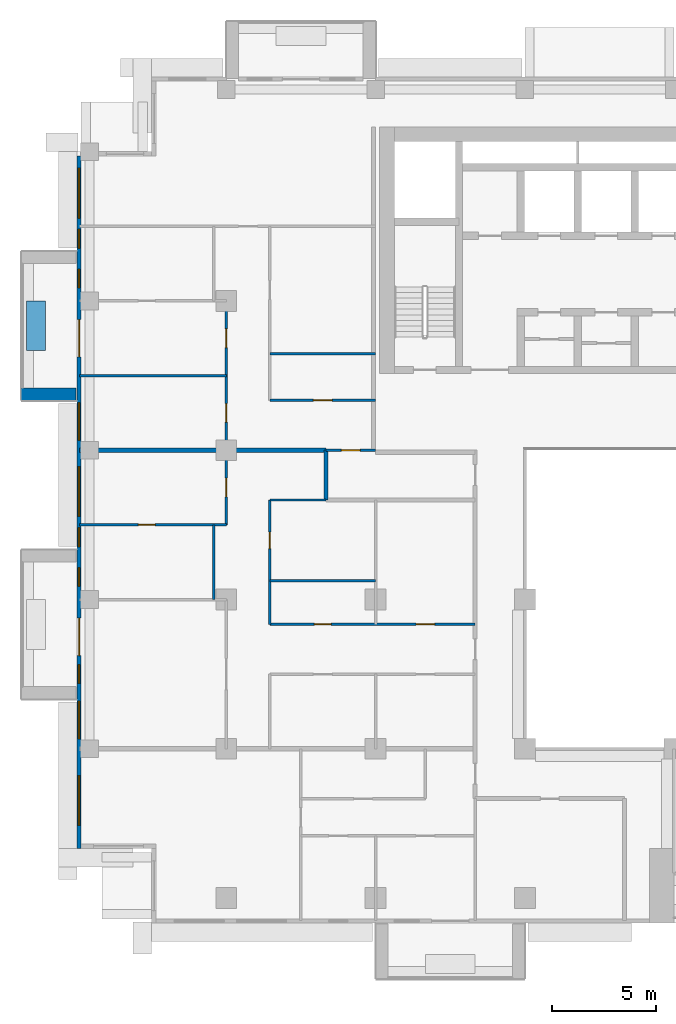
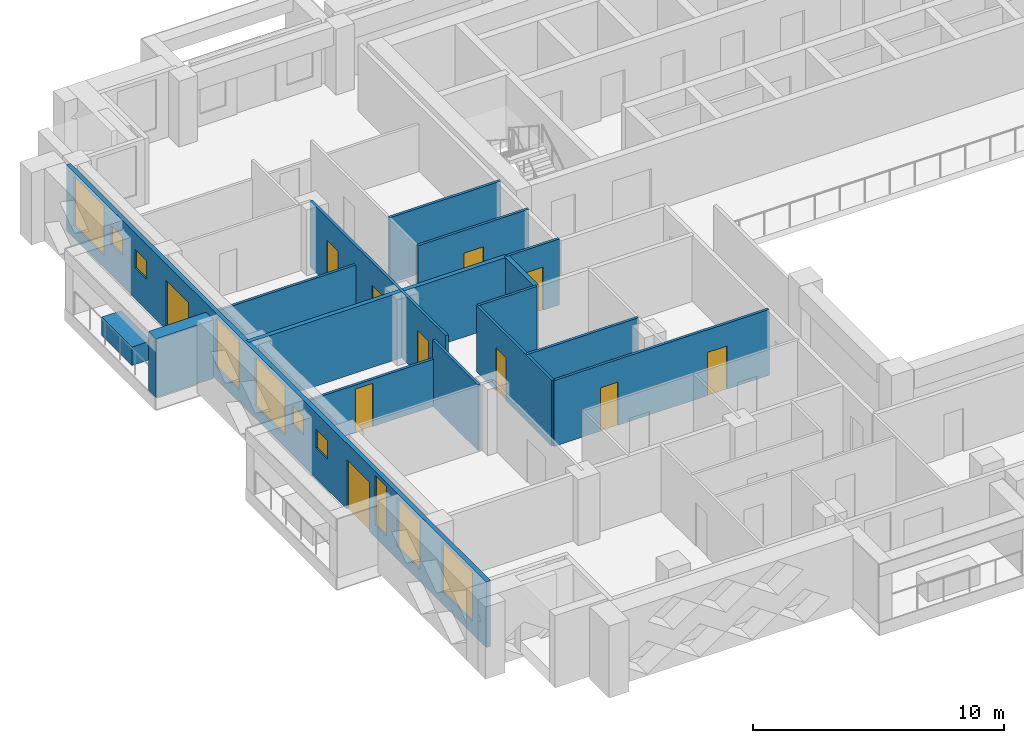
# One storey, part 7 of 20: 16 walls, 11 doors, 10 windows, 21 openings.
"""IFC4 building model written with IfcOpenShell, lengths in metres."""

from ifc_helpers import new_model, si_unit, direction, frame, frame_2d, origin, place, context, subcontext, project, spatial, rectangle, extrude, material, layer, layer_set, type_object, element, fill, save


model = new_model("IFC4")

# Units and contexts
model_context = context("Model", 3, precision=1e-05, world=origin(), true_north=direction((0.0, 1.0)))
body_context = subcontext(model_context, "Body", "Model", "MODEL_VIEW")
ifc_project = project(units=[si_unit("LENGTHUNIT", "METRE"), si_unit("AREAUNIT", "SQUARE_METRE"), si_unit("VOLUMEUNIT", "CUBIC_METRE"), si_unit("PLANEANGLEUNIT", "RADIAN"), si_unit("MASSUNIT", "GRAM", prefix="KILO")], contexts=[model_context])

# Site, building, storey
site_placement = place(None, origin())
site = spatial("IfcSite", under=ifc_project, at=site_placement, CompositionType="ELEMENT")
building_placement = place(site_placement, origin())
building = spatial("IfcBuilding", under=site, at=building_placement, Name="Saffron Iwan Residences", CompositionType="ELEMENT")
storey_placement = place(building_placement, frame((0.0, 0.0, 150.0)))
storey = spatial("IfcBuildingStorey", under=building, at=storey_placement, Name="L39", CompositionType="ELEMENT", Elevation=150.0)

# Walls
ifc_material_1 = material(Name="Concrete C50/60 white painted", Category="concrete")
ifc_layer_1 = layer(ifc_material_1, 0.60009765625)
ifc_layer_set_1 = layer_set([ifc_layer_1], Name="Concrete C50/60 white painted")
wall_type_1 = type_object("IfcWallType", Name="BALCONY FIN 600", PredefinedType="SOLIDWALL", material=ifc_layer_set_1)
wall_1_placement = place(storey_placement, frame((14.35009765625, 65.10009765625, 0.0), z_axis=(0.0, 0.0, 1.0), x_axis=(-1.0, 0.0, 0.0)))
element("IfcWall", 1, at=wall_1_placement, inside=storey, type_object=wall_type_1, Name="Balcony fin L39 F8-0b", PredefinedType="SOLIDWALL", context=body_context, shape_type="SweptSolid", body=[
    extrude(rectangle(XDim=2.650146484375, YDim=0.60009765625, at=frame_2d((1.3251953125, 0.0))), origin(), (0.0, 0.0, 1.0), 2.85009765625),
])
ifc_material_2 = material(Name="Concrete C35/45 white painted", Category="concrete")
ifc_layer_2 = layer(ifc_material_2, 0.14990234375)
ifc_layer_set_2 = layer_set([ifc_layer_2], Name="Concrete C35/45 white painted")
wall_type_2 = type_object("IfcWallType", Name="BALCONY PLANTER", PredefinedType="SOLIDWALL", material=ifc_layer_set_2)
wall_2_placement = place(storey_placement, frame((12.425048828125, 69.60009765625, 0.0), z_axis=(0.0, 0.0, 1.0), x_axis=(0.0, -1.0, 0.0)))
element("IfcWall", 2, at=wall_2_placement, inside=storey, type_object=wall_type_2, Name="PLANTER L39 F8-0", PredefinedType="SOLIDWALL", context=body_context, shape_type="SweptSolid", body=[
    extrude(rectangle(XDim=2.400146484375, YDim=0.89990234375, at=frame_2d((1.2001953125, 0.0))), origin(), (0.0, 0.0, 1.0), 0.89990234375),
])

# Wall, openings, doors, windows
ifc_material_3 = material(Name="Concrete C40/50", Category="concrete")
ifc_layer_3 = layer(ifc_material_3, 0.199951171875)
ifc_layer_set_3 = layer_set([ifc_layer_3], Name="Concrete C40/50")
wall_type_3 = type_object("IfcWallType", Name="EXTERNAL WALL 200", PredefinedType="SOLIDWALL", material=ifc_layer_set_3)
wall_3_placement = place(storey_placement, frame((14.5, 76.60009765625, 0.0), z_axis=(0.0, 0.0, 1.0), x_axis=(0.0, -1.0, 0.0)))
wall_3 = element("IfcWall", 3, at=wall_3_placement, inside=storey, type_object=wall_type_3, Name="External wall L39 F8.0", PredefinedType="SOLIDWALL", context=body_context, shape_type="SweptSolid", body=[
    extrude(rectangle(XDim=33.400146484375, YDim=0.199951171875, at=frame_2d((16.7001953125, 0.0))), origin(), (0.0, 0.0, 1.0), 3.199951171875),
])
opening_1_placement = place(wall_3_placement, frame((7.89990234375, 0.0, 0.0)))
opening_1 = element("IfcOpeningElement", 4, at=opening_1_placement, cuts=wall_3, Name="Opening BD1", PredefinedType="OPENING", context=body_context, shape_type="SweptSolid", body=[
    extrude(rectangle(XDim=1.800048828125, YDim=2.39990234375, at=frame_2d((0.89990234375, 1.199951171875))), frame((0.0, 0.10986328125, 0.0), z_axis=(0.0, -1.0, 0.0), x_axis=(1.0, 0.0, 0.0)), (0.0, 0.0, 1.0), 0.219970703125),
])
opening_2_placement = place(wall_3_placement, frame((22.300048828125, 0.0, 0.0)))
opening_2 = element("IfcOpeningElement", 5, at=opening_2_placement, cuts=wall_3, Name="Opening BD1", PredefinedType="OPENING", context=body_context, shape_type="SweptSolid", body=[
    extrude(rectangle(XDim=1.800048828125, YDim=2.39990234375, at=frame_2d((0.89990234375, 1.199951171875))), frame((0.0, 0.10986328125, 0.0), z_axis=(0.0, -1.0, 0.0), x_axis=(1.0, 0.0, 0.0)), (0.0, 0.0, 1.0), 0.219970703125),
])
opening_3_placement = place(wall_3_placement, frame((29.887451171875, 0.0, 0.60009765625)))
opening_3 = element("IfcOpeningElement", 6, at=opening_3_placement, cuts=wall_3, Name="Opening W1", PredefinedType="OPENING", context=body_context, shape_type="SweptSolid", body=[
    extrude(rectangle(XDim=2.39990234375, YDim=2.39990234375, at=frame_2d((1.199951171875, 1.199951171875))), frame((0.0, 0.10986328125, 0.0), z_axis=(0.0, -1.0, 0.0), x_axis=(1.0, 0.0, 0.0)), (0.0, 0.0, 1.0), 0.219970703125),
])
opening_4_placement = place(wall_3_placement, frame((24.550048828125, 0.0, 0.60009765625)))
opening_4 = element("IfcOpeningElement", 7, at=opening_4_placement, cuts=wall_3, Name="Opening W10", PredefinedType="OPENING", context=body_context, shape_type="SweptSolid", body=[
    extrude(rectangle(XDim=0.89990234375, YDim=2.39990234375, at=frame_2d((0.449951171875, 1.199951171875))), frame((0.0, 0.10986328125, 0.0), z_axis=(0.0, -1.0, 0.0), x_axis=(1.0, 0.0, 0.0)), (0.0, 0.0, 1.0), 0.219970703125),
])
opening_5_placement = place(wall_3_placement, frame((26.3125, 0.0, 0.60009765625)))
opening_5 = element("IfcOpeningElement", 8, at=opening_5_placement, cuts=wall_3, Name="Opening W8", PredefinedType="OPENING", context=body_context, shape_type="SweptSolid", body=[
    extrude(rectangle(XDim=1.800048828125, YDim=2.39990234375, at=frame_2d((0.89990234375, 1.199951171875))), frame((0.0, 0.10986328125, 0.0), z_axis=(0.0, -1.0, 0.0), x_axis=(1.0, 0.0, 0.0)), (0.0, 0.0, 1.0), 0.219970703125),
])
opening_6_placement = place(wall_3_placement, frame((14.987548828125, 0.0, 0.60009765625)))
opening_6 = element("IfcOpeningElement", 9, at=opening_6_placement, cuts=wall_3, Name="Opening W1", PredefinedType="OPENING", context=body_context, shape_type="SweptSolid", body=[
    extrude(rectangle(XDim=2.39990234375, YDim=2.39990234375, at=frame_2d((1.199951171875, 1.199951171875))), frame((0.0, 0.10986328125, 0.0), z_axis=(0.0, -1.0, 0.0), x_axis=(1.0, 0.0, 0.0)), (0.0, 0.0, 1.0), 0.219970703125),
])
opening_7_placement = place(wall_3_placement, frame((17.949951171875, 0.0, 1.5)))
opening_7 = element("IfcOpeningElement", 10, at=opening_7_placement, cuts=wall_3, Name="Opening W6", PredefinedType="OPENING", context=body_context, shape_type="SweptSolid", body=[
    extrude(rectangle(XDim=0.89990234375, YDim=0.89990234375, at=frame_2d((0.449951171875, 0.449951171875))), frame((0.0, 0.10986328125, 0.0), z_axis=(0.0, -1.0, 0.0), x_axis=(1.0, 0.0, 0.0)), (0.0, 0.0, 1.0), 0.219970703125),
])
opening_8_placement = place(wall_3_placement, frame((19.862548828125, 0.0, 1.5)))
opening_8 = element("IfcOpeningElement", 11, at=opening_8_placement, cuts=wall_3, Name="Opening W6", PredefinedType="OPENING", context=body_context, shape_type="SweptSolid", body=[
    extrude(rectangle(XDim=0.89990234375, YDim=0.89990234375, at=frame_2d((0.449951171875, 0.449951171875))), frame((0.0, 0.10986328125, 0.0), z_axis=(0.0, -1.0, 0.0), x_axis=(1.0, 0.0, 0.0)), (0.0, 0.0, 1.0), 0.219970703125),
])
opening_9_placement = place(wall_3_placement, frame((11.91259765625, 0.0, 0.60009765625)))
opening_9 = element("IfcOpeningElement", 12, at=opening_9_placement, cuts=wall_3, Name="Opening W8", PredefinedType="OPENING", context=body_context, shape_type="SweptSolid", body=[
    extrude(rectangle(XDim=1.800048828125, YDim=2.39990234375, at=frame_2d((0.89990234375, 1.199951171875))), frame((0.0, 0.10986328125, 0.0), z_axis=(0.0, -1.0, 0.0), x_axis=(1.0, 0.0, 0.0)), (0.0, 0.0, 1.0), 0.219970703125),
])
opening_10_placement = place(wall_3_placement, frame((3.550048828125, 0.0, 1.5)))
opening_10 = element("IfcOpeningElement", 13, at=opening_10_placement, cuts=wall_3, Name="Opening W6", PredefinedType="OPENING", context=body_context, shape_type="SweptSolid", body=[
    extrude(rectangle(XDim=0.89990234375, YDim=0.89990234375, at=frame_2d((0.449951171875, 0.449951171875))), frame((0.0, 0.10986328125, 0.0), z_axis=(0.0, -1.0, 0.0), x_axis=(1.0, 0.0, 0.0)), (0.0, 0.0, 1.0), 0.219970703125),
])
opening_11_placement = place(wall_3_placement, frame((5.46240234375, 0.0, 1.5)))
opening_11 = element("IfcOpeningElement", 14, at=opening_11_placement, cuts=wall_3, Name="Opening W6", PredefinedType="OPENING", context=body_context, shape_type="SweptSolid", body=[
    extrude(rectangle(XDim=0.89990234375, YDim=0.89990234375, at=frame_2d((0.449951171875, 0.449951171875))), frame((0.0, 0.10986328125, 0.0), z_axis=(0.0, -1.0, 0.0), x_axis=(1.0, 0.0, 0.0)), (0.0, 0.0, 1.0), 0.219970703125),
])
opening_12_placement = place(wall_3_placement, frame((0.60009765625, 0.0, 0.60009765625)))
opening_12 = element("IfcOpeningElement", 15, at=opening_12_placement, cuts=wall_3, Name="Opening W1", PredefinedType="OPENING", context=body_context, shape_type="SweptSolid", body=[
    extrude(rectangle(XDim=2.39990234375, YDim=2.39990234375, at=frame_2d((1.199951171875, 1.199951171875))), frame((0.0, 0.10986328125, 0.0), z_axis=(0.0, -1.0, 0.0), x_axis=(1.0, 0.0, 0.0)), (0.0, 0.0, 1.0), 0.219970703125),
])
ifc_material_4 = material(Name="Clear glass, laminated double glazed", Category="glass")
door_type_1 = type_object("IfcDoorType", Name="BALCONY DOOR 1800 x 2400", OperationType="DOUBLE_DOOR_SLIDING", PredefinedType="DOOR", material=ifc_material_4)
door_1_placement = place(opening_1_placement, origin())
door_1 = element("IfcDoor", 16, at=door_1_placement, inside=storey, type_object=door_type_1, Name="Balcony door L39 F8.0", OperationType="DOUBLE_DOOR_SLIDING", OverallHeight=2.39990234375, OverallWidth=1.800048828125, PredefinedType="DOOR", context=body_context, shape_type="SweptSolid", body=[
    extrude(rectangle(XDim=1.800048828125, YDim=2.39990234375, at=frame_2d((0.89990234375, 1.199951171875))), frame((0.0, 0.02490234375, 0.0), z_axis=(0.0, -1.0, 0.0), x_axis=(1.0, 0.0, 0.0)), (0.0, 0.0, 1.0), 0.050048828125),
])
fill(opening_1, door_1)
door_2_placement = place(opening_2_placement, origin())
door_2 = element("IfcDoor", 17, at=door_2_placement, inside=storey, type_object=door_type_1, Name="Balcony door L39 F8.1", OperationType="DOUBLE_DOOR_SLIDING", OverallHeight=2.39990234375, OverallWidth=1.800048828125, PredefinedType="DOOR", context=body_context, shape_type="SweptSolid", body=[
    extrude(rectangle(XDim=1.800048828125, YDim=2.39990234375, at=frame_2d((0.89990234375, 1.199951171875))), frame((0.0, 0.02490234375, 0.0), z_axis=(0.0, -1.0, 0.0), x_axis=(1.0, 0.0, 0.0)), (0.0, 0.0, 1.0), 0.050048828125),
])
fill(opening_2, door_2)
window_type_1 = type_object("IfcWindowType", Name="WINDOW 1800 x 2400", PartitioningType="DOUBLE_PANEL_VERTICAL", PredefinedType="WINDOW", material=ifc_material_4)
window_1_placement = place(opening_5_placement, origin())
window_1 = element("IfcWindow", 18, at=window_1_placement, inside=storey, type_object=window_type_1, Name="Window L39 F8.4", OverallHeight=2.39990234375, OverallWidth=1.800048828125, PartitioningType="DOUBLE_PANEL_VERTICAL", PredefinedType="WINDOW", context=body_context, shape_type="SweptSolid", body=[
    extrude(rectangle(XDim=1.800048828125, YDim=2.39990234375, at=frame_2d((0.89990234375, 1.199951171875))), frame((0.0, 0.030029296875, 0.0), z_axis=(0.0, -1.0, 0.0), x_axis=(1.0, 0.0, 0.0)), (0.0, 0.0, 1.0), 0.06005859375),
])
fill(opening_5, window_1)
window_2_placement = place(opening_9_placement, origin())
window_2 = element("IfcWindow", 19, at=window_2_placement, inside=storey, type_object=window_type_1, Name="Window L39 F8.8", OverallHeight=2.39990234375, OverallWidth=1.800048828125, PartitioningType="DOUBLE_PANEL_VERTICAL", PredefinedType="WINDOW", context=body_context, shape_type="SweptSolid", body=[
    extrude(rectangle(XDim=1.800048828125, YDim=2.39990234375, at=frame_2d((0.89990234375, 1.199951171875))), frame((0.0, 0.030029296875, 0.0), z_axis=(0.0, -1.0, 0.0), x_axis=(1.0, 0.0, 0.0)), (0.0, 0.0, 1.0), 0.06005859375),
])
fill(opening_9, window_2)
window_type_2 = type_object("IfcWindowType", Name="WINDOW 2400 x 2400", PartitioningType="DOUBLE_PANEL_VERTICAL", PredefinedType="WINDOW", material=ifc_material_4)
window_3_placement = place(opening_3_placement, origin())
window_3 = element("IfcWindow", 20, at=window_3_placement, inside=storey, type_object=window_type_2, Name="Window L39 F8.2", OverallHeight=2.39990234375, OverallWidth=2.39990234375, PartitioningType="DOUBLE_PANEL_VERTICAL", PredefinedType="WINDOW", context=body_context, shape_type="SweptSolid", body=[
    extrude(rectangle(XDim=2.39990234375, YDim=2.39990234375, at=frame_2d((1.199951171875, 1.199951171875))), frame((0.0, 0.030029296875, 0.0), z_axis=(0.0, -1.0, 0.0), x_axis=(1.0, 0.0, 0.0)), (0.0, 0.0, 1.0), 0.06005859375),
])
fill(opening_3, window_3)
window_4_placement = place(opening_6_placement, origin())
window_4 = element("IfcWindow", 21, at=window_4_placement, inside=storey, type_object=window_type_2, Name="Window L39 F8.5", OverallHeight=2.39990234375, OverallWidth=2.39990234375, PartitioningType="DOUBLE_PANEL_VERTICAL", PredefinedType="WINDOW", context=body_context, shape_type="SweptSolid", body=[
    extrude(rectangle(XDim=2.39990234375, YDim=2.39990234375, at=frame_2d((1.199951171875, 1.199951171875))), frame((0.0, 0.030029296875, 0.0), z_axis=(0.0, -1.0, 0.0), x_axis=(1.0, 0.0, 0.0)), (0.0, 0.0, 1.0), 0.06005859375),
])
fill(opening_6, window_4)
window_5_placement = place(opening_12_placement, origin())
window_5 = element("IfcWindow", 22, at=window_5_placement, inside=storey, type_object=window_type_2, Name="Window L39 F8.11", OverallHeight=2.39990234375, OverallWidth=2.39990234375, PartitioningType="DOUBLE_PANEL_VERTICAL", PredefinedType="WINDOW", context=body_context, shape_type="SweptSolid", body=[
    extrude(rectangle(XDim=2.39990234375, YDim=2.39990234375, at=frame_2d((1.199951171875, 1.199951171875))), frame((0.0, 0.030029296875, 0.0), z_axis=(0.0, -1.0, 0.0), x_axis=(1.0, 0.0, 0.0)), (0.0, 0.0, 1.0), 0.06005859375),
])
fill(opening_12, window_5)
window_type_3 = type_object("IfcWindowType", Name="WINDOW 900 x 2400", PartitioningType="SINGLE_PANEL", PredefinedType="WINDOW", material=ifc_material_4)
window_6_placement = place(opening_4_placement, origin())
window_6 = element("IfcWindow", 23, at=window_6_placement, inside=storey, type_object=window_type_3, Name="Window L39 F8.3", OverallHeight=2.39990234375, OverallWidth=0.89990234375, PartitioningType="SINGLE_PANEL", PredefinedType="WINDOW", context=body_context, shape_type="SweptSolid", body=[
    extrude(rectangle(XDim=0.89990234375, YDim=2.39990234375, at=frame_2d((0.449951171875, 1.199951171875))), frame((0.0, 0.030029296875, 0.0), z_axis=(0.0, -1.0, 0.0), x_axis=(1.0, 0.0, 0.0)), (0.0, 0.0, 1.0), 0.06005859375),
])
fill(opening_4, window_6)
window_type_4 = type_object("IfcWindowType", Name="WINDOW 900 x 900 BATH", PartitioningType="SINGLE_PANEL", PredefinedType="WINDOW", material=ifc_material_4)
window_7_placement = place(opening_7_placement, origin())
window_7 = element("IfcWindow", 24, at=window_7_placement, inside=storey, type_object=window_type_4, Name="Window L39 F8.6", OverallHeight=0.89990234375, OverallWidth=0.89990234375, PartitioningType="SINGLE_PANEL", PredefinedType="WINDOW", context=body_context, shape_type="SweptSolid", body=[
    extrude(rectangle(XDim=0.89990234375, YDim=0.89990234375, at=frame_2d((0.449951171875, 0.449951171875))), frame((0.0, 0.030029296875, 0.0), z_axis=(0.0, -1.0, 0.0), x_axis=(1.0, 0.0, 0.0)), (0.0, 0.0, 1.0), 0.06005859375),
])
fill(opening_7, window_7)
window_8_placement = place(opening_8_placement, origin())
window_8 = element("IfcWindow", 25, at=window_8_placement, inside=storey, type_object=window_type_4, Name="Window L39 F8.7", OverallHeight=0.89990234375, OverallWidth=0.89990234375, PartitioningType="SINGLE_PANEL", PredefinedType="WINDOW", context=body_context, shape_type="SweptSolid", body=[
    extrude(rectangle(XDim=0.89990234375, YDim=0.89990234375, at=frame_2d((0.449951171875, 0.449951171875))), frame((0.0, 0.030029296875, 0.0), z_axis=(0.0, -1.0, 0.0), x_axis=(1.0, 0.0, 0.0)), (0.0, 0.0, 1.0), 0.06005859375),
])
fill(opening_8, window_8)
window_9_placement = place(opening_10_placement, origin())
window_9 = element("IfcWindow", 26, at=window_9_placement, inside=storey, type_object=window_type_4, Name="Window L39 F8.9", OverallHeight=0.89990234375, OverallWidth=0.89990234375, PartitioningType="SINGLE_PANEL", PredefinedType="WINDOW", context=body_context, shape_type="SweptSolid", body=[
    extrude(rectangle(XDim=0.89990234375, YDim=0.89990234375, at=frame_2d((0.449951171875, 0.449951171875))), frame((0.0, 0.030029296875, 0.0), z_axis=(0.0, -1.0, 0.0), x_axis=(1.0, 0.0, 0.0)), (0.0, 0.0, 1.0), 0.06005859375),
])
fill(opening_10, window_9)
window_10_placement = place(opening_11_placement, origin())
window_10 = element("IfcWindow", 27, at=window_10_placement, inside=storey, type_object=window_type_4, Name="Window L39 F8.10", OverallHeight=0.89990234375, OverallWidth=0.89990234375, PartitioningType="SINGLE_PANEL", PredefinedType="WINDOW", context=body_context, shape_type="SweptSolid", body=[
    extrude(rectangle(XDim=0.89990234375, YDim=0.89990234375, at=frame_2d((0.449951171875, 0.449951171875))), frame((0.0, 0.030029296875, 0.0), z_axis=(0.0, -1.0, 0.0), x_axis=(1.0, 0.0, 0.0)), (0.0, 0.0, 1.0), 0.06005859375),
])
fill(opening_11, window_10)

# Walls
ifc_material_5 = material(Name="Fire-rated gypsum board wall")
ifc_layer_4 = layer(ifc_material_5, 0.199951171875)
ifc_layer_set_4 = layer_set([ifc_layer_4], Name="Fire-rated gypsum board wall")
wall_type_4 = type_object("IfcWallType", Name="Flat demising wall 200", PredefinedType="SOLIDWALL", material=ifc_layer_set_4)
wall_4_placement = place(storey_placement, frame((14.52490234375, 62.39990234375, 0.0), z_axis=(0.0, 0.0, 1.0), x_axis=(1.0, 0.0, 0.0)))
element("IfcWall", 28, at=wall_4_placement, inside=storey, type_object=wall_type_4, Name="W-L39-DEMISE-h62.4-14.525", PredefinedType="SOLIDWALL", context=body_context, shape_type="SweptSolid", body=[
    extrude(rectangle(XDim=11.875, YDim=0.199951171875, at=frame_2d((5.9375, 0.0))), origin(), (0.0, 0.0, 1.0), 3.199951171875),
])
wall_5_placement = place(storey_placement, frame((26.39990234375, 60.0, 0.0), z_axis=(0.0, 0.0, 1.0), x_axis=(0.0, 1.0, 0.0)))
element("IfcWall", 29, at=wall_5_placement, inside=storey, type_object=wall_type_4, Name="W-L39-DEMISE-v26.4-60", PredefinedType="SOLIDWALL", context=body_context, shape_type="SweptSolid", body=[
    extrude(rectangle(XDim=2.39990234375, YDim=0.199951171875, at=frame_2d((1.199951171875, 0.0))), origin(), (0.0, 0.0, 1.0), 3.199951171875),
])

# Wall, openings, doors
ifc_material_6 = material(Name="Gypsum board partition")
ifc_layer_5 = layer(ifc_material_6, 0.1201171875)
ifc_layer_set_5 = layer_set([ifc_layer_5], Name="Gypsum board partition")
wall_type_5 = type_object("IfcWallType", Name="Flat partition 120", PredefinedType="PARTITIONING", material=ifc_layer_set_5)
wall_6_placement = place(storey_placement, frame((23.699951171875, 54.0, 0.0), z_axis=(0.0, 0.0, 1.0), x_axis=(1.0, 0.0, 0.0)))
wall_6 = element("IfcWall", 30, at=wall_6_placement, inside=storey, type_object=wall_type_5, Name="W-L39-PART-h54-23.7", PredefinedType="PARTITIONING", context=body_context, shape_type="SweptSolid", body=[
    extrude(rectangle(XDim=9.900146484375, YDim=0.1201171875, at=frame_2d((4.9501953125, 0.0))), origin(), (0.0, 0.0, 1.0), 3.199951171875),
])
opening_13_placement = place(wall_6_placement, frame((2.14990234375, 0.0, 0.0)))
opening_13 = element("IfcOpeningElement", 31, at=opening_13_placement, cuts=wall_6, Name="Opening FD3", PredefinedType="OPENING", context=body_context, shape_type="SweptSolid", body=[
    extrude(rectangle(XDim=0.800048828125, YDim=2.10009765625, at=frame_2d((0.39990234375, 1.050048828125))), frame((0.0, 0.070068359375, 0.0), z_axis=(0.0, -1.0, 0.0), x_axis=(1.0, 0.0, 0.0)), (0.0, 0.0, 1.0), 0.14013671875),
])
opening_14_placement = place(wall_6_placement, frame((7.050048828125, 0.0, 0.0)))
opening_14 = element("IfcOpeningElement", 32, at=opening_14_placement, cuts=wall_6, Name="Opening FD2", PredefinedType="OPENING", context=body_context, shape_type="SweptSolid", body=[
    extrude(rectangle(XDim=0.89990234375, YDim=2.10009765625, at=frame_2d((0.449951171875, 1.050048828125))), frame((0.0, 0.070068359375, 0.0), z_axis=(0.0, -1.0, 0.0), x_axis=(1.0, 0.0, 0.0)), (0.0, 0.0, 1.0), 0.14013671875),
])
ifc_material_7 = material(Name="Timber door", Category="wood")
door_type_2 = type_object("IfcDoorType", Name="Bathroom door 800", OperationType="NOTDEFINED", PredefinedType="DOOR", material=ifc_material_7)
door_3_placement = place(opening_13_placement, origin())
door_3 = element("IfcDoor", 33, at=door_3_placement, inside=storey, type_object=door_type_2, Name="Door L39-012", OperationType="SINGLE_SWING_LEFT", OverallHeight=2.10009765625, OverallWidth=0.800048828125, PredefinedType="DOOR", context=body_context, shape_type="SweptSolid", body=[
    extrude(rectangle(XDim=0.800048828125, YDim=2.10009765625, at=frame_2d((0.39990234375, 1.050048828125))), frame((0.0, 0.02490234375, 0.0), z_axis=(0.0, -1.0, 0.0), x_axis=(1.0, 0.0, 0.0)), (0.0, 0.0, 1.0), 0.050048828125),
])
fill(opening_13, door_3)
door_type_3 = type_object("IfcDoorType", Name="Flat door 900", OperationType="NOTDEFINED", PredefinedType="DOOR", material=ifc_material_7)
door_4_placement = place(opening_14_placement, origin())
door_4 = element("IfcDoor", 34, at=door_4_placement, inside=storey, type_object=door_type_3, Name="Door L39-015", OperationType="SINGLE_SWING_LEFT", OverallHeight=2.10009765625, OverallWidth=0.89990234375, PredefinedType="DOOR", context=body_context, shape_type="SweptSolid", body=[
    extrude(rectangle(XDim=0.89990234375, YDim=2.10009765625, at=frame_2d((0.449951171875, 1.050048828125))), frame((0.0, 0.02490234375, 0.0), z_axis=(0.0, -1.0, 0.0), x_axis=(1.0, 0.0, 0.0)), (0.0, 0.0, 1.0), 0.050048828125),
])
fill(opening_14, door_4)

# Wall
wall_7_placement = place(storey_placement, frame((23.699951171875, 56.10009765625, 0.0), z_axis=(0.0, 0.0, 1.0), x_axis=(1.0, 0.0, 0.0)))
element("IfcWall", 35, at=wall_7_placement, inside=storey, type_object=wall_type_5, Name="W-L39-PART-h56.1-23.7", PredefinedType="PARTITIONING", context=body_context, shape_type="SweptSolid", body=[
    extrude(rectangle(XDim=5.10009765625, YDim=0.1201171875, at=frame_2d((2.550048828125, 0.0))), origin(), (0.0, 0.0, 1.0), 3.199951171875),
])

# Wall, opening, door
wall_8_placement = place(storey_placement, frame((14.52490234375, 58.800048828125, 0.0), z_axis=(0.0, 0.0, 1.0), x_axis=(1.0, 0.0, 0.0)))
wall_8 = element("IfcWall", 36, at=wall_8_placement, inside=storey, type_object=wall_type_5, Name="W-L39-PART-h58.8-14.525", PredefinedType="PARTITIONING", context=body_context, shape_type="SweptSolid", body=[
    extrude(rectangle(XDim=7.0751953125, YDim=0.1201171875, at=frame_2d((3.53759765625, 0.0))), origin(), (0.0, 0.0, 1.0), 2.300048828125),
])
opening_15_placement = place(wall_8_placement, frame((2.83740234375, 0.0, 0.0)))
opening_15 = element("IfcOpeningElement", 37, at=opening_15_placement, cuts=wall_8, Name="Opening FD3", PredefinedType="OPENING", context=body_context, shape_type="SweptSolid", body=[
    extrude(rectangle(XDim=0.800048828125, YDim=2.10009765625, at=frame_2d((0.39990234375, 1.050048828125))), frame((0.0, 0.070068359375, 0.0), z_axis=(0.0, -1.0, 0.0), x_axis=(1.0, 0.0, 0.0)), (0.0, 0.0, 1.0), 0.14013671875),
])
door_5_placement = place(opening_15_placement, origin())
door_5 = element("IfcDoor", 38, at=door_5_placement, inside=storey, type_object=door_type_2, Name="Door L39-010", OperationType="SINGLE_SWING_RIGHT", OverallHeight=2.10009765625, OverallWidth=0.800048828125, PredefinedType="DOOR", context=body_context, shape_type="SweptSolid", body=[
    extrude(rectangle(XDim=0.800048828125, YDim=2.10009765625, at=frame_2d((0.39990234375, 1.050048828125))), frame((0.0, 0.02490234375, 0.0), z_axis=(0.0, -1.0, 0.0), x_axis=(1.0, 0.0, 0.0)), (0.0, 0.0, 1.0), 0.050048828125),
])
fill(opening_15, door_5)

# Wall
wall_9_placement = place(storey_placement, frame((23.699951171875, 60.0, 0.0), z_axis=(0.0, 0.0, 1.0), x_axis=(1.0, 0.0, 0.0)))
element("IfcWall", 39, at=wall_9_placement, inside=storey, type_object=wall_type_5, Name="W-L39-PART-h60-23.7", PredefinedType="PARTITIONING", context=body_context, shape_type="SweptSolid", body=[
    extrude(rectangle(XDim=2.699951171875, YDim=0.1201171875, at=frame_2d((1.35009765625, 0.0))), origin(), (0.0, 0.0, 1.0), 3.199951171875),
])

# Wall, opening, door
wall_10_placement = place(storey_placement, frame((26.39990234375, 62.39990234375, 0.0), z_axis=(0.0, 0.0, 1.0), x_axis=(1.0, 0.0, 0.0)))
wall_10 = element("IfcWall", 40, at=wall_10_placement, inside=storey, type_object=wall_type_5, Name="W-L39-PART-h62.4-26.4", PredefinedType="PARTITIONING", context=body_context, shape_type="SweptSolid", body=[
    extrude(rectangle(XDim=2.400146484375, YDim=0.1201171875, at=frame_2d((1.2001953125, 0.0))), origin(), (0.0, 0.0, 1.0), 3.199951171875),
])
opening_16_placement = place(wall_10_placement, frame((0.75, 0.0, 0.0)))
opening_16 = element("IfcOpeningElement", 41, at=opening_16_placement, cuts=wall_10, Name="Opening FD2", PredefinedType="OPENING", context=body_context, shape_type="SweptSolid", body=[
    extrude(rectangle(XDim=0.89990234375, YDim=2.10009765625, at=frame_2d((0.449951171875, 1.050048828125))), frame((0.0, 0.070068359375, 0.0), z_axis=(0.0, -1.0, 0.0), x_axis=(1.0, 0.0, 0.0)), (0.0, 0.0, 1.0), 0.14013671875),
])
door_6_placement = place(opening_16_placement, origin())
door_6 = element("IfcDoor", 42, at=door_6_placement, inside=storey, type_object=door_type_3, Name="Door L39-022", OperationType="SINGLE_SWING_RIGHT", OverallHeight=2.10009765625, OverallWidth=0.89990234375, PredefinedType="DOOR", context=body_context, shape_type="SweptSolid", body=[
    extrude(rectangle(XDim=0.89990234375, YDim=2.10009765625, at=frame_2d((0.449951171875, 1.050048828125))), frame((0.0, 0.02490234375, 0.0), z_axis=(0.0, -1.0, 0.0), x_axis=(1.0, 0.0, 0.0)), (0.0, 0.0, 1.0), 0.050048828125),
])
fill(opening_16, door_6)

wall_11_placement = place(storey_placement, frame((23.699951171875, 64.800048828125, 0.0), z_axis=(0.0, 0.0, 1.0), x_axis=(1.0, 0.0, 0.0)))
wall_11 = element("IfcWall", 43, at=wall_11_placement, inside=storey, type_object=wall_type_5, Name="W-L39-PART-h64.8-23.7", PredefinedType="PARTITIONING", context=body_context, shape_type="SweptSolid", body=[
    extrude(rectangle(XDim=5.10009765625, YDim=0.1201171875, at=frame_2d((2.550048828125, 0.0))), origin(), (0.0, 0.0, 1.0), 3.199951171875),
])
opening_17_placement = place(wall_11_placement, frame((2.10009765625, 0.0, 0.0)))
opening_17 = element("IfcOpeningElement", 44, at=opening_17_placement, cuts=wall_11, Name="Opening FD2", PredefinedType="OPENING", context=body_context, shape_type="SweptSolid", body=[
    extrude(rectangle(XDim=0.89990234375, YDim=2.10009765625, at=frame_2d((0.449951171875, 1.050048828125))), frame((0.0, 0.070068359375, 0.0), z_axis=(0.0, -1.0, 0.0), x_axis=(1.0, 0.0, 0.0)), (0.0, 0.0, 1.0), 0.14013671875),
])
door_7_placement = place(opening_17_placement, origin())
door_7 = element("IfcDoor", 45, at=door_7_placement, inside=storey, type_object=door_type_3, Name="Door L39-028", OperationType="SINGLE_SWING_RIGHT", OverallHeight=2.10009765625, OverallWidth=0.89990234375, PredefinedType="DOOR", context=body_context, shape_type="SweptSolid", body=[
    extrude(rectangle(XDim=0.89990234375, YDim=2.10009765625, at=frame_2d((0.449951171875, 1.050048828125))), frame((0.0, 0.02490234375, 0.0), z_axis=(0.0, -1.0, 0.0), x_axis=(1.0, 0.0, 0.0)), (0.0, 0.0, 1.0), 0.050048828125),
])
fill(opening_17, door_7)

# Walls
wall_12_placement = place(storey_placement, frame((14.52490234375, 66.0, 0.0), z_axis=(0.0, 0.0, 1.0), x_axis=(1.0, 0.0, 0.0)))
element("IfcWall", 46, at=wall_12_placement, inside=storey, type_object=wall_type_5, Name="W-L39-PART-h66-14.525", PredefinedType="PARTITIONING", context=body_context, shape_type="SweptSolid", body=[
    extrude(rectangle(XDim=7.0751953125, YDim=0.1201171875, at=frame_2d((3.53759765625, 0.0))), origin(), (0.0, 0.0, 1.0), 2.300048828125),
])
wall_13_placement = place(storey_placement, frame((23.699951171875, 67.050048828125, 0.0), z_axis=(0.0, 0.0, 1.0), x_axis=(1.0, 0.0, 0.0)))
element("IfcWall", 47, at=wall_13_placement, inside=storey, type_object=wall_type_5, Name="W-L39-PART-h67.05-23.7", PredefinedType="PARTITIONING", context=body_context, shape_type="SweptSolid", body=[
    extrude(rectangle(XDim=5.10009765625, YDim=0.1201171875, at=frame_2d((2.550048828125, 0.0))), origin(), (0.0, 0.0, 1.0), 3.199951171875),
])
wall_14_placement = place(storey_placement, frame((21.0, 55.199951171875, 0.0), z_axis=(0.0, 0.0, 1.0), x_axis=(0.0, 1.0, 0.0)))
element("IfcWall", 48, at=wall_14_placement, inside=storey, type_object=wall_type_5, Name="W-L39-PART-v21-55.2", PredefinedType="PARTITIONING", context=body_context, shape_type="SweptSolid", body=[
    extrude(rectangle(XDim=3.60009765625, YDim=0.1201171875, at=frame_2d((1.800048828125, 0.0))), origin(), (0.0, 0.0, 1.0), 3.199951171875),
])

# Wall, openings, doors
wall_15_placement = place(storey_placement, frame((21.60009765625, 58.800048828125, 0.0), z_axis=(0.0, 0.0, 1.0), x_axis=(0.0, 1.0, 0.0)))
wall_15 = element("IfcWall", 49, at=wall_15_placement, inside=storey, type_object=wall_type_5, Name="W-L39-PART-v21.6-58.8", PredefinedType="PARTITIONING", context=body_context, shape_type="SweptSolid", body=[
    extrude(rectangle(XDim=10.800048828125, YDim=0.1201171875, at=frame_2d((5.39990234375, 0.0))), origin(), (0.0, 0.0, 1.0), 3.199951171875),
])
opening_18_placement = place(wall_15_placement, frame((1.35009765625, 0.0, 0.0)))
opening_18 = element("IfcOpeningElement", 50, at=opening_18_placement, cuts=wall_15, Name="Opening FD2", PredefinedType="OPENING", context=body_context, shape_type="SweptSolid", body=[
    extrude(rectangle(XDim=0.89990234375, YDim=2.10009765625, at=frame_2d((0.449951171875, 1.050048828125))), frame((0.0, 0.070068359375, 0.0), z_axis=(0.0, -1.0, 0.0), x_axis=(1.0, 0.0, 0.0)), (0.0, 0.0, 1.0), 0.14013671875),
])
opening_19_placement = place(wall_15_placement, frame((4.949951171875, 0.0, 0.0)))
opening_19 = element("IfcOpeningElement", 51, at=opening_19_placement, cuts=wall_15, Name="Opening FD2", PredefinedType="OPENING", context=body_context, shape_type="SweptSolid", body=[
    extrude(rectangle(XDim=0.89990234375, YDim=2.10009765625, at=frame_2d((0.449951171875, 1.050048828125))), frame((0.0, 0.070068359375, 0.0), z_axis=(0.0, -1.0, 0.0), x_axis=(1.0, 0.0, 0.0)), (0.0, 0.0, 1.0), 0.14013671875),
])
opening_20_placement = place(wall_15_placement, frame((8.550048828125, 0.0, 0.0)))
opening_20 = element("IfcOpeningElement", 52, at=opening_20_placement, cuts=wall_15, Name="Opening FD2", PredefinedType="OPENING", context=body_context, shape_type="SweptSolid", body=[
    extrude(rectangle(XDim=0.89990234375, YDim=2.10009765625, at=frame_2d((0.449951171875, 1.050048828125))), frame((0.0, 0.070068359375, 0.0), z_axis=(0.0, -1.0, 0.0), x_axis=(1.0, 0.0, 0.0)), (0.0, 0.0, 1.0), 0.14013671875),
])
door_8_placement = place(opening_18_placement, origin())
door_8 = element("IfcDoor", 53, at=door_8_placement, inside=storey, type_object=door_type_3, Name="Door L39-009", OperationType="SINGLE_SWING_LEFT", OverallHeight=2.10009765625, OverallWidth=0.89990234375, PredefinedType="DOOR", context=body_context, shape_type="SweptSolid", body=[
    extrude(rectangle(XDim=0.89990234375, YDim=2.10009765625, at=frame_2d((0.449951171875, 1.050048828125))), frame((0.0, 0.02490234375, 0.0), z_axis=(0.0, -1.0, 0.0), x_axis=(1.0, 0.0, 0.0)), (0.0, 0.0, 1.0), 0.050048828125),
])
fill(opening_18, door_8)
door_9_placement = place(opening_19_placement, origin())
door_9 = element("IfcDoor", 54, at=door_9_placement, inside=storey, type_object=door_type_3, Name="Door L39-024", OperationType="SINGLE_SWING_LEFT", OverallHeight=2.10009765625, OverallWidth=0.89990234375, PredefinedType="DOOR", context=body_context, shape_type="SweptSolid", body=[
    extrude(rectangle(XDim=0.89990234375, YDim=2.10009765625, at=frame_2d((0.449951171875, 1.050048828125))), frame((0.0, 0.02490234375, 0.0), z_axis=(0.0, -1.0, 0.0), x_axis=(1.0, 0.0, 0.0)), (0.0, 0.0, 1.0), 0.050048828125),
])
fill(opening_19, door_9)
door_10_placement = place(opening_20_placement, origin())
door_10 = element("IfcDoor", 55, at=door_10_placement, inside=storey, type_object=door_type_3, Name="Door L39-025", OperationType="SINGLE_SWING_RIGHT", OverallHeight=2.10009765625, OverallWidth=0.89990234375, PredefinedType="DOOR", context=body_context, shape_type="SweptSolid", body=[
    extrude(rectangle(XDim=0.89990234375, YDim=2.10009765625, at=frame_2d((0.449951171875, 1.050048828125))), frame((0.0, 0.02490234375, 0.0), z_axis=(0.0, -1.0, 0.0), x_axis=(1.0, 0.0, 0.0)), (0.0, 0.0, 1.0), 0.050048828125),
])
fill(opening_20, door_10)

# Wall, opening, door
wall_16_placement = place(storey_placement, frame((23.699951171875, 54.0, 0.0), z_axis=(0.0, 0.0, 1.0), x_axis=(0.0, 1.0, 0.0)))
wall_16 = element("IfcWall", 56, at=wall_16_placement, inside=storey, type_object=wall_type_5, Name="W-L39-PART-v23.7-54", PredefinedType="PARTITIONING", context=body_context, shape_type="SweptSolid", body=[
    extrude(rectangle(XDim=6.0, YDim=0.1201171875, at=frame_2d((3.0, 0.0))), origin(), (0.0, 0.0, 1.0), 3.199951171875),
])
opening_21_placement = place(wall_16_placement, frame((3.64990234375, 0.0, 0.0)))
opening_21 = element("IfcOpeningElement", 57, at=opening_21_placement, cuts=wall_16, Name="Opening FD3", PredefinedType="OPENING", context=body_context, shape_type="SweptSolid", body=[
    extrude(rectangle(XDim=0.800048828125, YDim=2.10009765625, at=frame_2d((0.39990234375, 1.050048828125))), frame((0.0, 0.070068359375, 0.0), z_axis=(0.0, -1.0, 0.0), x_axis=(1.0, 0.0, 0.0)), (0.0, 0.0, 1.0), 0.14013671875),
])
door_11_placement = place(opening_21_placement, origin())
door_11 = element("IfcDoor", 58, at=door_11_placement, inside=storey, type_object=door_type_2, Name="Door L39-013", OperationType="SINGLE_SWING_RIGHT", OverallHeight=2.10009765625, OverallWidth=0.800048828125, PredefinedType="DOOR", context=body_context, shape_type="SweptSolid", body=[
    extrude(rectangle(XDim=0.800048828125, YDim=2.10009765625, at=frame_2d((0.39990234375, 1.050048828125))), frame((0.0, 0.02490234375, 0.0), z_axis=(0.0, -1.0, 0.0), x_axis=(1.0, 0.0, 0.0)), (0.0, 0.0, 1.0), 0.050048828125),
])
fill(opening_21, door_11)

save(model, "model.ifc")
